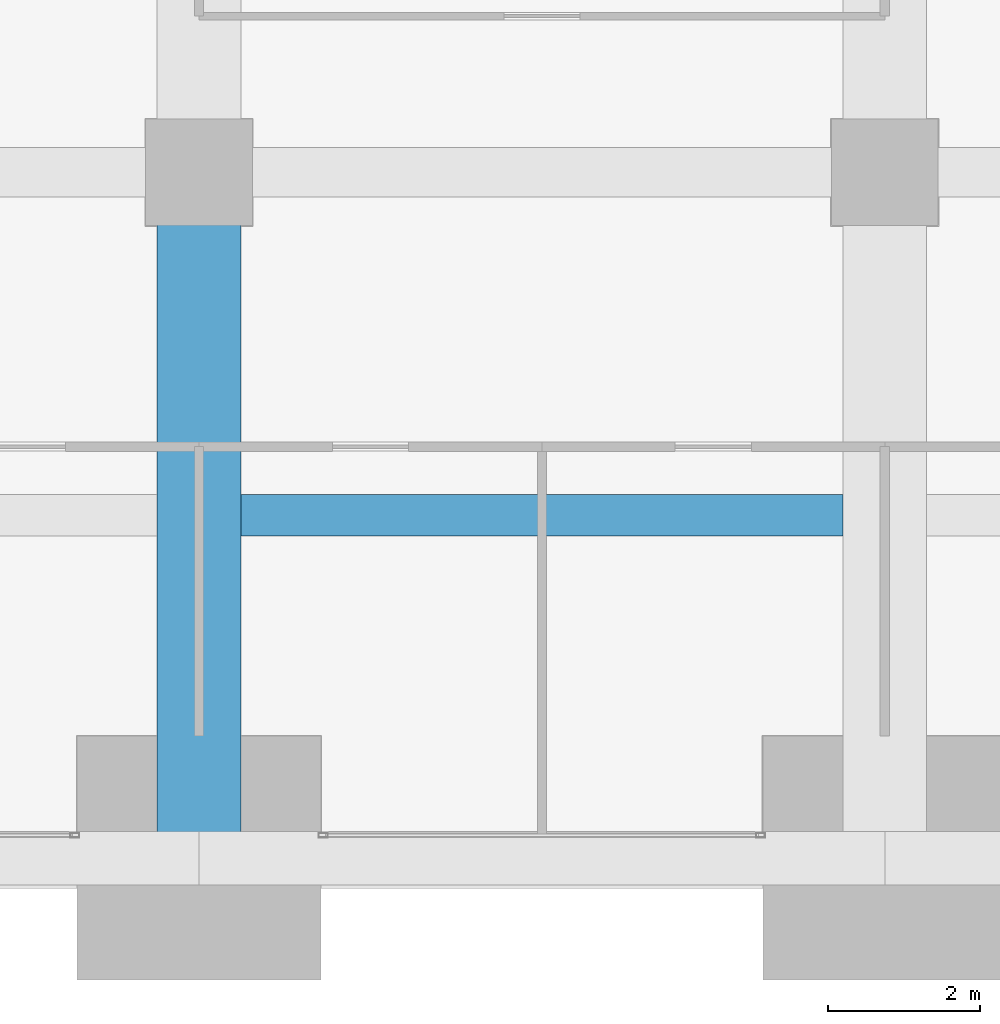
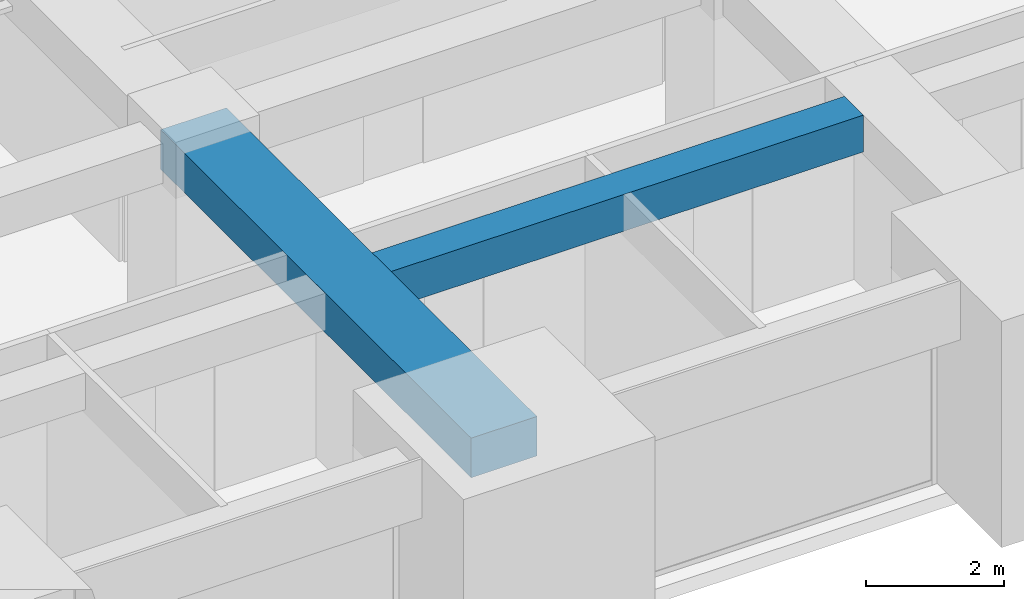
# One storey, part 10 of 43: 2 beams.
"""IFC4 building model written with IfcOpenShell, lengths in metres."""

from ifc_helpers import new_model, si_unit, direction, frame, origin, origin_2d, place, context, subcontext, project, spatial, rectangle, extrude, material, material_profile, profile_set, type_object, element, save


model = new_model("IFC4")

# Units and contexts
model_context = context("Model", 3, precision=1e-05, world=origin(), true_north=direction((0.0, 1.0)))
body_context = subcontext(model_context, "Body", "Model", "MODEL_VIEW")
ifc_project = project(units=[si_unit("LENGTHUNIT", "METRE"), si_unit("AREAUNIT", "SQUARE_METRE"), si_unit("VOLUMEUNIT", "CUBIC_METRE"), si_unit("PLANEANGLEUNIT", "RADIAN"), si_unit("MASSUNIT", "GRAM", prefix="KILO")], contexts=[model_context])

# Site, building, storey
site_placement = place(None, origin())
site = spatial("IfcSite", under=ifc_project, at=site_placement, CompositionType="ELEMENT")
building_placement = place(site_placement, origin())
building = spatial("IfcBuilding", under=site, at=building_placement, Name="Zorevar Civic Tower", CompositionType="ELEMENT")
storey_placement = place(building_placement, frame((0.0, 0.0, 243.39990234375)))
storey = spatial("IfcBuildingStorey", under=building, at=storey_placement, Name="L59", CompositionType="ELEMENT", Elevation=243.39990234375)

# Beams
ifc_material_1 = material(Name="Concrete C50/60", Category="concrete")
ifc_material_profile_1 = material_profile(ifc_material_1, rectangle(XDim=1.10009765625, YDim=0.699951171875, at=origin_2d()), Name="RC 1100x700")
ifc_profile_set_1 = profile_set([ifc_material_profile_1], Name="Concrete C50/60")
beam_type_1 = type_object("IfcBeamType", Name="Beam RC 1100x700", PredefinedType="BEAM", material=ifc_profile_set_1)
beam_1_placement = place(storey_placement, frame((27.0, 0.0, 3.400146484375), z_axis=(0.0, 1.0, 0.0), x_axis=(-1.0, 0.0, 0.0)))
element("IfcBeam", 1, at=beam_1_placement, inside=storey, type_object=beam_type_1, Name="Girder L60", PredefinedType="BEAM", context=body_context, shape_type="SweptSolid", body=[
    extrude(rectangle(XDim=1.10009765625, YDim=0.699951171875, at=origin_2d()), origin(), (0.0, 0.0, 1.0), 9.0),
])
ifc_material_2 = material(Name="Concrete C50/60", Category="concrete")
ifc_material_profile_2 = material_profile(ifc_material_2, rectangle(XDim=0.550048828125, YDim=0.64990234375, at=origin_2d()), Name="RC 550x650")
ifc_profile_set_2 = profile_set([ifc_material_profile_2], Name="Concrete C50/60")
beam_type_2 = type_object("IfcBeamType", Name="Beam RC 550x650", PredefinedType="BEAM", material=ifc_profile_set_2)
beam_2_placement = place(storey_placement, frame((27.550048828125, 4.5, 3.425048828125), z_axis=(1.0, 0.0, 0.0), x_axis=(0.0, 1.0, 0.0)))
element("IfcBeam", 2, at=beam_2_placement, inside=storey, type_object=beam_type_2, Name="Secondary beam L60", PredefinedType="BEAM", context=body_context, shape_type="SweptSolid", body=[
    extrude(rectangle(XDim=0.550048828125, YDim=0.64990234375, at=origin_2d()), origin(), (0.0, 0.0, 1.0), 7.89990234375),
])

save(model, "model.ifc")
